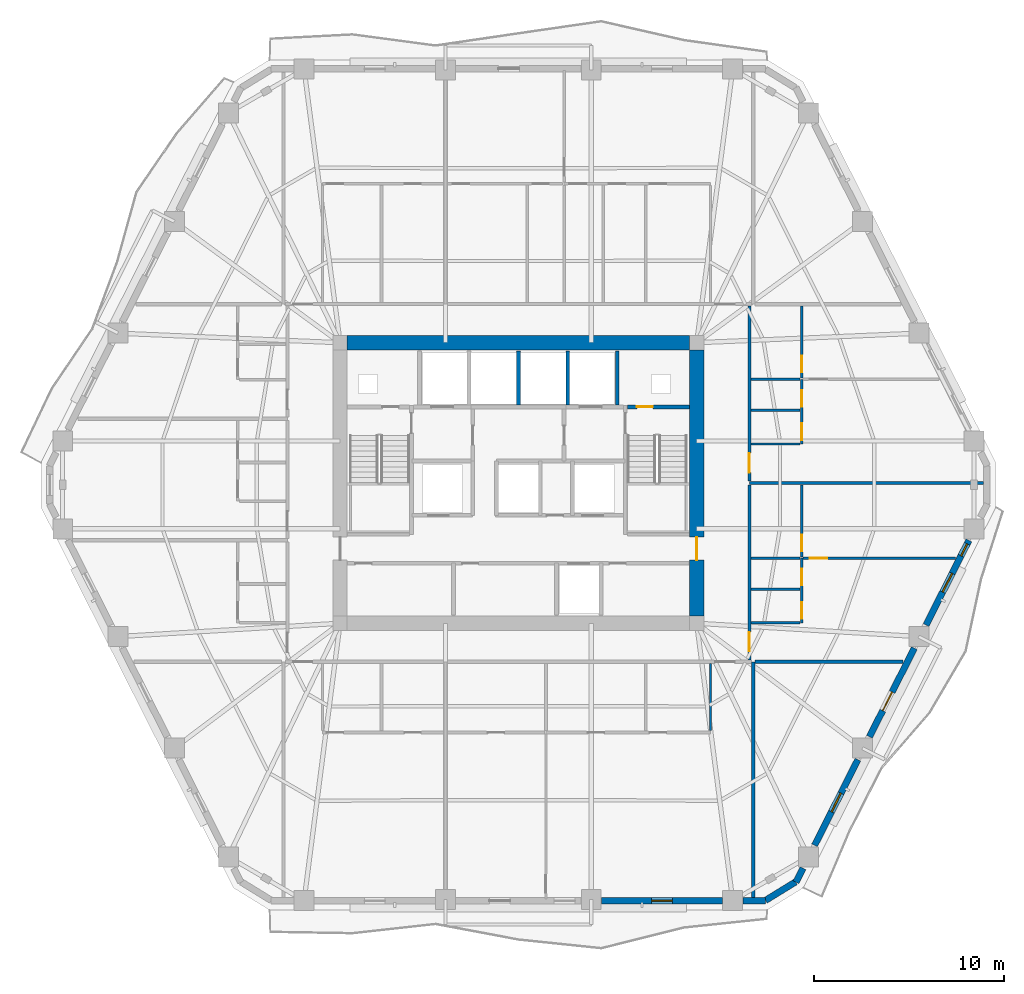
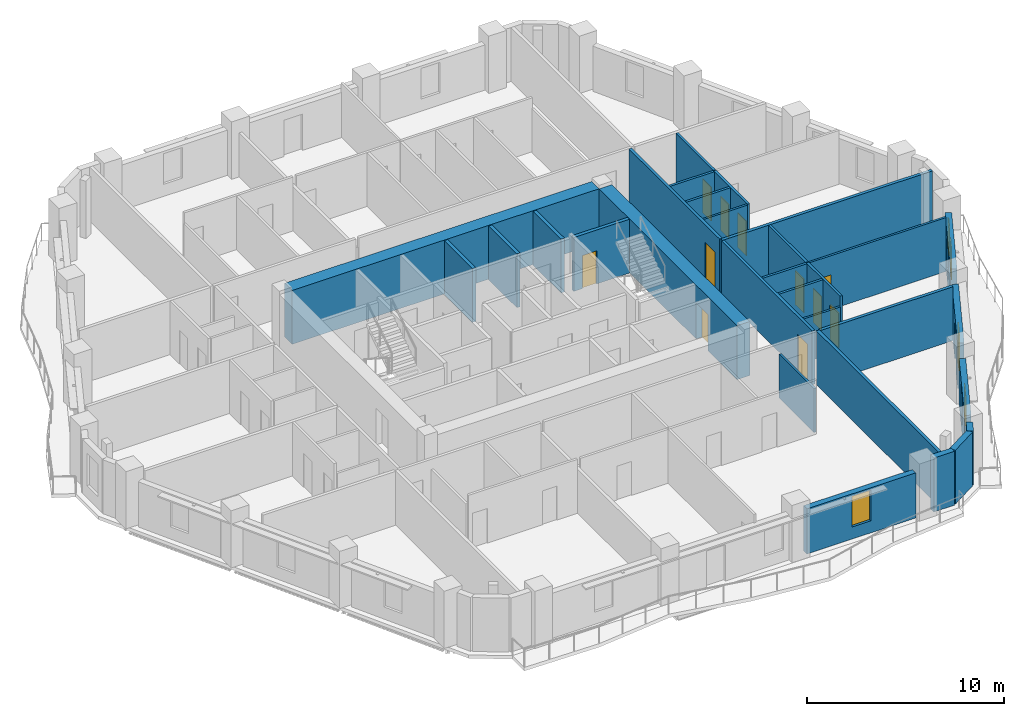
# One storey, part 6 of 12: 30 walls, 12 doors, 4 windows, 16 openings.
"""IFC4 building model written with IfcOpenShell, lengths in metres."""

from ifc_helpers import new_model, si_unit, direction, frame, frame_2d, origin, place, context, subcontext, project, spatial, rectangle, extrude, material, layer, layer_set, type_object, element, fill, save


model = new_model("IFC4")

# Units and contexts
model_context = context("Model", 3, precision=1e-05, world=origin(), true_north=direction((0.0, 1.0)))
body_context = subcontext(model_context, "Body", "Model", "MODEL_VIEW")
ifc_project = project(units=[si_unit("LENGTHUNIT", "METRE"), si_unit("AREAUNIT", "SQUARE_METRE"), si_unit("VOLUMEUNIT", "CUBIC_METRE"), si_unit("PLANEANGLEUNIT", "RADIAN"), si_unit("MASSUNIT", "GRAM", prefix="KILO")], contexts=[model_context])

# Site, building, storey
site_placement = place(None, origin())
site = spatial("IfcSite", under=ifc_project, at=site_placement, CompositionType="ELEMENT")
building_placement = place(site_placement, origin())
building = spatial("IfcBuilding", under=site, at=building_placement, Name="Cinnabar Lancet Tower", CompositionType="ELEMENT")
storey_placement = place(building_placement, frame((0.0, 0.0, 137.449951171875)))
storey = spatial("IfcBuildingStorey", under=building, at=storey_placement, Name="L36", CompositionType="ELEMENT", Elevation=137.449951171875)

# Wall, opening, door
ifc_material_1 = material(Name="Acoustic twin-stud gypsum partition", Category="gypsum")
ifc_layer_1 = layer(ifc_material_1, 0.159912109375)
ifc_layer_set_1 = layer_set([ifc_layer_1], Name="Acoustic twin-stud gypsum partition")
wall_type_1 = type_object("IfcWallType", Name="ARC-WL-CORR-160", PredefinedType="PARTITIONING", material=ifc_layer_set_1)
wall_1_placement = place(storey_placement, frame((44.550048828125, 16.594970703125, 0.0), z_axis=(0.0, 0.0, 1.0), x_axis=(0.0, 1.0, 0.0)))
wall_1 = element("IfcWall", 1, at=wall_1_placement, inside=storey, type_object=wall_type_1, Name="UW-L36-E01-COR", PredefinedType="PARTITIONING", context=body_context, shape_type="SweptSolid", body=[
    extrude(rectangle(XDim=9.2099609375, YDim=0.159912109375, at=frame_2d((4.60498046875, 0.0))), origin(), (0.0, 0.0, 1.0), 3.340087890625),
])
opening_1_placement = place(wall_1_placement, frame((0.449951171875, 0.0, 0.0)))
opening_1 = element("IfcOpeningElement", 2, at=opening_1_placement, cuts=wall_1, Name="Opening UD-01", PredefinedType="OPENING", context=body_context, shape_type="SweptSolid", body=[
    extrude(rectangle(XDim=1.02001953125, YDim=2.25, at=frame_2d((0.510009765625, 1.125))), frame((0.0, 0.08984375, 0.0), z_axis=(0.0, -1.0, 0.0), x_axis=(1.0, 0.0, 0.0)), (0.0, 0.0, 1.0), 0.179931640625),
])
ifc_material_2 = material(Name="Solid timber fire-rated apartment entrance door", Category="wood")
door_type_1 = type_object("IfcDoorType", Name="ARC-DR-UNIT", OperationType="NOTDEFINED", PredefinedType="DOOR", material=ifc_material_2)
door_1_placement = place(opening_1_placement, origin())
door_1 = element("IfcDoor", 3, at=door_1_placement, inside=storey, type_object=door_type_1, Name="DR-L36-E01-ENT", OperationType="SINGLE_SWING_RIGHT", OverallHeight=2.25, OverallWidth=1.02001953125, PredefinedType="DOOR", context=body_context, shape_type="SweptSolid", body=[
    extrude(rectangle(XDim=1.02001953125, YDim=2.25, at=frame_2d((0.510009765625, 1.125))), frame((0.0, 0.02490234375, 0.0), z_axis=(0.0, -1.0, 0.0), x_axis=(1.0, 0.0, 0.0)), (0.0, 0.0, 1.0), 0.050048828125),
])
fill(opening_1, door_1)

wall_2_placement = place(storey_placement, frame((44.550048828125, 25.9951171875, 0.0), z_axis=(0.0, 0.0, 1.0), x_axis=(0.0, 1.0, 0.0)))
wall_2 = element("IfcWall", 4, at=wall_2_placement, inside=storey, type_object=wall_type_1, Name="UW-L36-E02-COR", PredefinedType="PARTITIONING", context=body_context, shape_type="SweptSolid", body=[
    extrude(rectangle(XDim=9.2099609375, YDim=0.159912109375, at=frame_2d((4.60498046875, 0.0))), origin(), (0.0, 0.0, 1.0), 3.340087890625),
])
opening_2_placement = place(wall_2_placement, frame((0.449951171875, 0.0, 0.0)))
opening_2 = element("IfcOpeningElement", 5, at=opening_2_placement, cuts=wall_2, Name="Opening UD-01", PredefinedType="OPENING", context=body_context, shape_type="SweptSolid", body=[
    extrude(rectangle(XDim=1.02001953125, YDim=2.25, at=frame_2d((0.510009765625, 1.125))), frame((0.0, 0.08984375, 0.0), z_axis=(0.0, -1.0, 0.0), x_axis=(1.0, 0.0, 0.0)), (0.0, 0.0, 1.0), 0.179931640625),
])
door_2_placement = place(opening_2_placement, origin())
door_2 = element("IfcDoor", 6, at=door_2_placement, inside=storey, type_object=door_type_1, Name="DR-L36-E02-ENT", OperationType="SINGLE_SWING_LEFT", OverallHeight=2.25, OverallWidth=1.02001953125, PredefinedType="DOOR", context=body_context, shape_type="SweptSolid", body=[
    extrude(rectangle(XDim=1.02001953125, YDim=2.25, at=frame_2d((0.510009765625, 1.125))), frame((0.0, 0.02490234375, 0.0), z_axis=(0.0, -1.0, 0.0), x_axis=(1.0, 0.0, 0.0)), (0.0, 0.0, 1.0), 0.050048828125),
])
fill(opening_2, door_2)

# Walls
ifc_material_3 = material(Name="Fire-rated twin-frame acoustic drywall", Category="gypsum")
ifc_layer_2 = layer(ifc_material_3, 0.179931640625)
ifc_layer_set_2 = layer_set([ifc_layer_2], Name="Fire-rated twin-frame acoustic drywall")
wall_type_2 = type_object("IfcWallType", Name="ARC-WL-PARTY-180", PredefinedType="PARTITIONING", material=ifc_layer_set_2)
wall_3_placement = place(storey_placement, frame((44.75, 4.10498046875, 0.0), z_axis=(0.0, 0.0, 1.0), x_axis=(0.0, 1.0, 0.0)))
element("IfcWall", 7, at=wall_3_placement, inside=storey, type_object=wall_type_2, Name="PW-L36-SPTY-448", PredefinedType="PARTITIONING", context=body_context, shape_type="SweptSolid", body=[
    extrude(rectangle(XDim=12.39501953125, YDim=0.179931640625, at=frame_2d((6.197509765625, 0.0))), origin(), (0.0, 0.0, 1.0), 3.340087890625),
])
wall_4_placement = place(storey_placement, frame((44.844970703125, 16.5, 0.0), z_axis=(0.0, 0.0, 1.0), x_axis=(1.0, 0.0, 0.0)))
element("IfcWall", 8, at=wall_4_placement, inside=storey, type_object=wall_type_2, Name="PW-L36-ESB", PredefinedType="PARTITIONING", context=body_context, shape_type="SweptSolid", body=[
    extrude(rectangle(XDim=7.77001953125, YDim=0.179931640625, at=frame_2d((3.885009765625, 0.0))), origin(), (0.0, 0.0, 1.0), 3.340087890625),
])
wall_5_placement = place(storey_placement, frame((44.550048828125, 25.89990234375, 0.0), z_axis=(0.0, 0.0, 1.0), x_axis=(1.0, 0.0, 0.0)))
element("IfcWall", 9, at=wall_5_placement, inside=storey, type_object=wall_type_2, Name="PW-L36-EPTY-1", PredefinedType="PARTITIONING", context=body_context, shape_type="SweptSolid", body=[
    extrude(rectangle(XDim=12.307861328125, YDim=0.179931640625, at=frame_2d((6.15380859375, 0.0))), origin(), (0.0, 0.0, 1.0), 3.340087890625),
])

# Wall, opening, door
ifc_material_4 = material(Name="Autoclaved aerated concrete blockwork", Category="masonry")
ifc_layer_3 = layer(ifc_material_4, 0.199951171875)
ifc_layer_set_3 = layer_set([ifc_layer_3], Name="Autoclaved aerated concrete blockwork")
wall_type_3 = type_object("IfcWallType", Name="ARC-WL-SHAFT-200", PredefinedType="PLUMBINGWALL", material=ifc_layer_set_3)
wall_6_placement = place(storey_placement, frame((38.125, 29.89990234375, 0.0), z_axis=(0.0, 0.0, 1.0), x_axis=(1.0, 0.0, 0.0)))
wall_6 = element("IfcWall", 10, at=wall_6_placement, inside=storey, type_object=wall_type_3, Name="CW-NSH-E-L36", PredefinedType="PLUMBINGWALL", context=body_context, shape_type="SweptSolid", body=[
    extrude(rectangle(XDim=3.27001953125, YDim=0.199951171875, at=frame_2d((1.635009765625, 0.0))), origin(), (0.0, 0.0, 1.0), 3.340087890625),
])
opening_3_placement = place(wall_6_placement, frame((0.5, 0.0, 0.0)))
opening_3 = element("IfcOpeningElement", 11, at=opening_3_placement, cuts=wall_6, Name="Opening PD-02", PredefinedType="OPENING", context=body_context, shape_type="SweptSolid", body=[
    extrude(rectangle(XDim=0.85009765625, YDim=2.050048828125, at=frame_2d((0.425048828125, 1.02490234375))), frame((0.0, 0.10986328125, 0.0), z_axis=(0.0, -1.0, 0.0), x_axis=(1.0, 0.0, 0.0)), (0.0, 0.0, 1.0), 0.219970703125),
])
ifc_material_5 = material(Name="Fire-rated steel riser access door", Category="steel")
door_type_2 = type_object("IfcDoorType", Name="ARC-DR-RISER", OperationType="NOTDEFINED", PredefinedType="DOOR", material=ifc_material_5)
door_3_placement = place(opening_3_placement, origin())
door_3 = element("IfcDoor", 12, at=door_3_placement, inside=storey, type_object=door_type_2, Name="L36 East Riser Access Door", OperationType="SINGLE_SWING_RIGHT", OverallHeight=2.050048828125, OverallWidth=0.85009765625, PredefinedType="DOOR", context=body_context, shape_type="SweptSolid", body=[
    extrude(rectangle(XDim=0.85009765625, YDim=2.050048828125, at=frame_2d((0.425048828125, 1.02490234375))), frame((0.0, 0.02490234375, 0.0), z_axis=(0.0, -1.0, 0.0), x_axis=(1.0, 0.0, 0.0)), (0.0, 0.0, 1.0), 0.050048828125),
])
fill(opening_3, door_3)

# Walls
for number, where, z_axis, x_axis, name in (
    (13, (32.39990234375, 30.0, 0.0), (0.0, 0.0, 1.0), (0.0, 1.0, 0.0), "CW-NSH-D3-L36"),
    (14, (35.0, 30.0, 0.0), (0.0, 0.0, 1.0), (0.0, 1.0, 0.0), "CW-NSH-D4-L36"),
    (15, (37.60009765625, 30.0, 0.0), (0.0, 0.0, 1.0), (0.0, 1.0, 0.0), "CW-NSH-D5-L36"),
):
    element("IfcWall", number, at=place(storey_placement, frame(where, z_axis=z_axis, x_axis=x_axis)), inside=storey, type_object=wall_type_3, Name=name, PredefinedType="PLUMBINGWALL", context=body_context, shape_type="SweptSolid", body=[
        extrude(rectangle(XDim=2.85009765625, YDim=0.199951171875, at=frame_2d((1.425048828125, 0.0))), origin(), (0.0, 0.0, 1.0), 3.340087890625),
    ])
ifc_material_6 = material(Name="Gypsum plasterboard stud partition", Category="gypsum")
ifc_layer_4 = layer(ifc_material_6, 0.125)
ifc_layer_set_4 = layer_set([ifc_layer_4], Name="Gypsum plasterboard stud partition")
wall_type_4 = type_object("IfcWallType", Name="ARC-WL-UNIT-125", PredefinedType="PARTITIONING", material=ifc_layer_set_4)
wall_7_placement = place(storey_placement, frame((42.5, 12.886962890625, 0.0), z_axis=(0.0, 0.0, 1.0), x_axis=(0.0, 1.0, 0.0)))
element("IfcWall", 16, at=wall_7_placement, inside=storey, type_object=wall_type_4, Name="UW-L36-S02-FOYW", PredefinedType="PARTITIONING", context=body_context, shape_type="SweptSolid", body=[
    extrude(rectangle(XDim=3.528076171875, YDim=0.125, at=frame_2d((1.76416015625, 0.0))), origin(), (0.0, 0.0, 1.0), 2.72216796875),
])
wall_8_placement = place(storey_placement, frame((44.635009765625, 18.550048828125, 0.0), z_axis=(0.0, 0.0, 1.0), x_axis=(1.0, 0.0, 0.0)))
element("IfcWall", 17, at=wall_8_placement, inside=storey, type_object=wall_type_4, Name="UW-L36-E01-FOYN", PredefinedType="PARTITIONING", context=body_context, shape_type="SweptSolid", body=[
    extrude(rectangle(XDim=2.580078125, YDim=0.125, at=frame_2d((1.2900390625, 0.0))), origin(), (0.0, 0.0, 1.0), 2.72216796875),
])

# Wall, opening, door
wall_9_placement = place(storey_placement, frame((47.375, 21.949951171875, 0.0), z_axis=(0.0, 0.0, 1.0), x_axis=(1.0, 0.0, 0.0)))
wall_9 = element("IfcWall", 18, at=wall_9_placement, inside=storey, type_object=wall_type_4, Name="UW-L36-E01-MBN", PredefinedType="PARTITIONING", context=body_context, shape_type="SweptSolid", body=[
    extrude(rectangle(XDim=8.012939453125, YDim=0.125, at=frame_2d((4.00634765625, 0.0))), origin(), (0.0, 0.0, 1.0), 3.340087890625),
])
opening_4_placement = place(wall_9_placement, frame((0.35009765625, 0.0, 0.0)))
opening_4 = element("IfcOpeningElement", 19, at=opening_4_placement, cuts=wall_9, Name="Opening RD-01", PredefinedType="OPENING", context=body_context, shape_type="SweptSolid", body=[
    extrude(rectangle(XDim=0.919921875, YDim=2.14990234375, at=frame_2d((0.4599609375, 1.074951171875))), frame((0.0, 0.072509765625, 0.0), z_axis=(0.0, -1.0, 0.0), x_axis=(1.0, 0.0, 0.0)), (0.0, 0.0, 1.0), 0.14501953125),
])
ifc_material_7 = material(Name="Engineered timber bedroom door", Category="wood")
door_type_3 = type_object("IfcDoorType", Name="ARC-DR-ROOM", OperationType="NOTDEFINED", PredefinedType="DOOR", material=ifc_material_7)
door_4_placement = place(opening_4_placement, origin())
door_4 = element("IfcDoor", 20, at=door_4_placement, inside=storey, type_object=door_type_3, Name="DR-L36-E01-MBD", OperationType="SINGLE_SWING_RIGHT", OverallHeight=2.14990234375, OverallWidth=0.919921875, PredefinedType="DOOR", context=body_context, shape_type="SweptSolid", body=[
    extrude(rectangle(XDim=0.919921875, YDim=2.14990234375, at=frame_2d((0.4599609375, 1.074951171875))), frame((0.0, 0.02490234375, 0.0), z_axis=(0.0, -1.0, 0.0), x_axis=(1.0, 0.0, 0.0)), (0.0, 0.0, 1.0), 0.050048828125),
])
fill(opening_4, door_4)

# Wall
wall_10_placement = place(storey_placement, frame((44.635009765625, 27.949951171875, 0.0), z_axis=(0.0, 0.0, 1.0), x_axis=(1.0, 0.0, 0.0)))
element("IfcWall", 21, at=wall_10_placement, inside=storey, type_object=wall_type_4, Name="UW-L36-E02-FOYN", PredefinedType="PARTITIONING", context=body_context, shape_type="SweptSolid", body=[
    extrude(rectangle(XDim=2.580078125, YDim=0.125, at=frame_2d((1.2900390625, 0.0))), origin(), (0.0, 0.0, 1.0), 3.340087890625),
])

# Wall, openings, doors
ifc_material_8 = material(Name="Moisture-resistant cement-board plumbing wall", Category="masonry")
ifc_layer_5 = layer(ifc_material_8, 0.139892578125)
ifc_layer_set_5 = layer_set([ifc_layer_5], Name="Moisture-resistant cement-board plumbing wall")
wall_type_5 = type_object("IfcWallType", Name="ARC-WL-WET-140", PredefinedType="PLUMBINGWALL", material=ifc_layer_set_5)
wall_11_placement = place(storey_placement, frame((47.300048828125, 18.550048828125, 0.0), z_axis=(0.0, 0.0, 1.0), x_axis=(0.0, 1.0, 0.0)))
wall_11 = element("IfcWall", 22, at=wall_11_placement, inside=storey, type_object=wall_type_5, Name="UW-L36-E01-SPL", PredefinedType="PLUMBINGWALL", context=body_context, shape_type="SweptSolid", body=[
    extrude(rectangle(XDim=3.39990234375, YDim=0.139892578125, at=frame_2d((1.699951171875, 0.0))), origin(), (0.0, 0.0, 1.0), 3.340087890625),
])
opening_5_placement = place(wall_11_placement, frame((0.199951171875, 0.0, 0.0)))
opening_5 = element("IfcOpeningElement", 23, at=opening_5_placement, cuts=wall_11, Name="Opening RD-02", PredefinedType="OPENING", context=body_context, shape_type="SweptSolid", body=[
    extrude(rectangle(XDim=0.8798828125, YDim=2.14990234375, at=frame_2d((0.43994140625, 1.074951171875))), frame((0.0, 0.079833984375, 0.0), z_axis=(0.0, -1.0, 0.0), x_axis=(1.0, 0.0, 0.0)), (0.0, 0.0, 1.0), 0.159912109375),
])
opening_6_placement = place(wall_11_placement, frame((1.968017578125, 0.0, 0.0)))
opening_6 = element("IfcOpeningElement", 24, at=opening_6_placement, cuts=wall_11, Name="Opening BD-01", PredefinedType="OPENING", context=body_context, shape_type="SweptSolid", body=[
    extrude(rectangle(XDim=0.860107421875, YDim=2.10009765625, at=frame_2d((0.43017578125, 1.050048828125))), frame((0.0, 0.079833984375, 0.0), z_axis=(0.0, -1.0, 0.0), x_axis=(1.0, 0.0, 0.0)), (0.0, 0.0, 1.0), 0.159912109375),
])
ifc_material_9 = material(Name="Moisture-resistant timber bathroom door", Category="wood")
door_type_4 = type_object("IfcDoorType", Name="ARC-DR-BATH", OperationType="NOTDEFINED", PredefinedType="DOOR", material=ifc_material_9)
door_5_placement = place(opening_6_placement, origin())
door_5 = element("IfcDoor", 25, at=door_5_placement, inside=storey, type_object=door_type_4, Name="DR-L36-E01-BTH", OperationType="SINGLE_SWING_RIGHT", OverallHeight=2.10009765625, OverallWidth=0.860107421875, PredefinedType="DOOR", context=body_context, shape_type="SweptSolid", body=[
    extrude(rectangle(XDim=0.860107421875, YDim=2.10009765625, at=frame_2d((0.43017578125, 1.050048828125))), frame((0.0, 0.02490234375, 0.0), z_axis=(0.0, -1.0, 0.0), x_axis=(1.0, 0.0, 0.0)), (0.0, 0.0, 1.0), 0.050048828125),
])
fill(opening_6, door_5)
ifc_material_10 = material(Name="Engineered timber study door", Category="wood")
door_type_5 = type_object("IfcDoorType", Name="ARC-DR-STUDY", OperationType="NOTDEFINED", PredefinedType="DOOR", material=ifc_material_10)
door_6_placement = place(opening_5_placement, origin())
door_6 = element("IfcDoor", 26, at=door_6_placement, inside=storey, type_object=door_type_5, Name="DR-L36-E01-KIT", OperationType="SINGLE_SWING_LEFT", OverallHeight=2.14990234375, OverallWidth=0.8798828125, PredefinedType="DOOR", context=body_context, shape_type="SweptSolid", body=[
    extrude(rectangle(XDim=0.8798828125, YDim=2.14990234375, at=frame_2d((0.43994140625, 1.074951171875))), frame((0.0, 0.02490234375, 0.0), z_axis=(0.0, -1.0, 0.0), x_axis=(1.0, 0.0, 0.0)), (0.0, 0.0, 1.0), 0.050048828125),
])
fill(opening_5, door_6)

# Wall, opening, door
wall_12_placement = place(storey_placement, frame((47.300048828125, 22.02001953125, 0.0), z_axis=(0.0, 0.0, 1.0), x_axis=(0.0, 1.0, 0.0)))
wall_12 = element("IfcWall", 27, at=wall_12_placement, inside=storey, type_object=wall_type_5, Name="UW-L36-E01-SPM", PredefinedType="PLUMBINGWALL", context=body_context, shape_type="SweptSolid", body=[
    extrude(rectangle(XDim=3.784912109375, YDim=0.139892578125, at=frame_2d((1.892578125, 0.0))), origin(), (0.0, 0.0, 1.0), 3.340087890625),
])
opening_7_placement = place(wall_12_placement, frame((0.300048828125, 0.0, 0.0)))
opening_7 = element("IfcOpeningElement", 28, at=opening_7_placement, cuts=wall_12, Name="Opening BD-01", PredefinedType="OPENING", context=body_context, shape_type="SweptSolid", body=[
    extrude(rectangle(XDim=0.860107421875, YDim=2.10009765625, at=frame_2d((0.43017578125, 1.050048828125))), frame((0.0, 0.079833984375, 0.0), z_axis=(0.0, -1.0, 0.0), x_axis=(1.0, 0.0, 0.0)), (0.0, 0.0, 1.0), 0.159912109375),
])
door_7_placement = place(opening_7_placement, origin())
door_7 = element("IfcDoor", 29, at=door_7_placement, inside=storey, type_object=door_type_4, Name="DR-L36-E01-ENS", OperationType="SINGLE_SWING_RIGHT", OverallHeight=2.10009765625, OverallWidth=0.860107421875, PredefinedType="DOOR", context=body_context, shape_type="SweptSolid", body=[
    extrude(rectangle(XDim=0.860107421875, YDim=2.10009765625, at=frame_2d((0.43017578125, 1.050048828125))), frame((0.0, 0.02490234375, 0.0), z_axis=(0.0, -1.0, 0.0), x_axis=(1.0, 0.0, 0.0)), (0.0, 0.0, 1.0), 0.050048828125),
])
fill(opening_7, door_7)

# Walls
for number, where, z_axis, x_axis, name in (
    (30, (44.635009765625, 21.949951171875, 0.0), (0.0, 0.0, 1.0), (1.0, 0.0, 0.0), "UW-L36-E01-ENSN"),
    (31, (44.635009765625, 20.318115234375, 0.0), (0.0, 0.0, 1.0), (1.0, 0.0, 0.0), "UW-L36-E01-KDV"),
):
    element("IfcWall", number, at=place(storey_placement, frame(where, z_axis=z_axis, x_axis=x_axis)), inside=storey, type_object=wall_type_5, Name=name, PredefinedType="PLUMBINGWALL", context=body_context, shape_type="SweptSolid", body=[
        extrude(rectangle(XDim=2.580078125, YDim=0.139892578125, at=frame_2d((1.2900390625, 0.0))), origin(), (0.0, 0.0, 1.0), 3.340087890625),
    ])

# Wall, openings, doors
wall_13_placement = place(storey_placement, frame((47.300048828125, 27.949951171875, 0.0), z_axis=(0.0, 0.0, 1.0), x_axis=(0.0, 1.0, 0.0)))
wall_13 = element("IfcWall", 32, at=wall_13_placement, inside=storey, type_object=wall_type_5, Name="UW-L36-E02-SPL", PredefinedType="PLUMBINGWALL", context=body_context, shape_type="SweptSolid", body=[
    extrude(rectangle(XDim=3.402099609375, YDim=0.139892578125, at=frame_2d((1.701171875, 0.0))), origin(), (0.0, 0.0, 1.0), 3.340087890625),
])
opening_8_placement = place(wall_13_placement, frame((0.199951171875, 0.0, 0.0)))
opening_8 = element("IfcOpeningElement", 33, at=opening_8_placement, cuts=wall_13, Name="Opening RD-02", PredefinedType="OPENING", context=body_context, shape_type="SweptSolid", body=[
    extrude(rectangle(XDim=0.8798828125, YDim=2.14990234375, at=frame_2d((0.43994140625, 1.074951171875))), frame((0.0, 0.079833984375, 0.0), z_axis=(0.0, -1.0, 0.0), x_axis=(1.0, 0.0, 0.0)), (0.0, 0.0, 1.0), 0.159912109375),
])
opening_9_placement = place(wall_13_placement, frame((1.968994140625, 0.0, 0.0)))
opening_9 = element("IfcOpeningElement", 34, at=opening_9_placement, cuts=wall_13, Name="Opening BD-01", PredefinedType="OPENING", context=body_context, shape_type="SweptSolid", body=[
    extrude(rectangle(XDim=0.860107421875, YDim=2.10009765625, at=frame_2d((0.43017578125, 1.050048828125))), frame((0.0, 0.079833984375, 0.0), z_axis=(0.0, -1.0, 0.0), x_axis=(1.0, 0.0, 0.0)), (0.0, 0.0, 1.0), 0.159912109375),
])
door_8_placement = place(opening_9_placement, origin())
door_8 = element("IfcDoor", 35, at=door_8_placement, inside=storey, type_object=door_type_4, Name="DR-L36-E02-BTH", OperationType="SINGLE_SWING_LEFT", OverallHeight=2.10009765625, OverallWidth=0.860107421875, PredefinedType="DOOR", context=body_context, shape_type="SweptSolid", body=[
    extrude(rectangle(XDim=0.860107421875, YDim=2.10009765625, at=frame_2d((0.43017578125, 1.050048828125))), frame((0.0, 0.02490234375, 0.0), z_axis=(0.0, -1.0, 0.0), x_axis=(1.0, 0.0, 0.0)), (0.0, 0.0, 1.0), 0.050048828125),
])
fill(opening_9, door_8)
door_9_placement = place(opening_8_placement, origin())
door_9 = element("IfcDoor", 36, at=door_9_placement, inside=storey, type_object=door_type_5, Name="DR-L36-E02-KIT", OperationType="SINGLE_SWING_RIGHT", OverallHeight=2.14990234375, OverallWidth=0.8798828125, PredefinedType="DOOR", context=body_context, shape_type="SweptSolid", body=[
    extrude(rectangle(XDim=0.8798828125, YDim=2.14990234375, at=frame_2d((0.43994140625, 1.074951171875))), frame((0.0, 0.02490234375, 0.0), z_axis=(0.0, -1.0, 0.0), x_axis=(1.0, 0.0, 0.0)), (0.0, 0.0, 1.0), 0.050048828125),
])
fill(opening_8, door_9)

# Wall, opening, door
wall_14_placement = place(storey_placement, frame((47.300048828125, 31.422119140625, 0.0), z_axis=(0.0, 0.0, 1.0), x_axis=(0.0, 1.0, 0.0)))
wall_14 = element("IfcWall", 37, at=wall_14_placement, inside=storey, type_object=wall_type_5, Name="UW-L36-E02-SPM", PredefinedType="PLUMBINGWALL", context=body_context, shape_type="SweptSolid", body=[
    extrude(rectangle(XDim=3.782958984375, YDim=0.139892578125, at=frame_2d((1.8916015625, 0.0))), origin(), (0.0, 0.0, 1.0), 3.340087890625),
])
opening_10_placement = place(wall_14_placement, frame((0.300048828125, 0.0, 0.0)))
opening_10 = element("IfcOpeningElement", 38, at=opening_10_placement, cuts=wall_14, Name="Opening BD-01", PredefinedType="OPENING", context=body_context, shape_type="SweptSolid", body=[
    extrude(rectangle(XDim=0.860107421875, YDim=2.10009765625, at=frame_2d((0.43017578125, 1.050048828125))), frame((0.0, 0.079833984375, 0.0), z_axis=(0.0, -1.0, 0.0), x_axis=(1.0, 0.0, 0.0)), (0.0, 0.0, 1.0), 0.159912109375),
])
door_10_placement = place(opening_10_placement, origin())
door_10 = element("IfcDoor", 39, at=door_10_placement, inside=storey, type_object=door_type_4, Name="DR-L36-E02-ENS", OperationType="SINGLE_SWING_LEFT", OverallHeight=2.10009765625, OverallWidth=0.860107421875, PredefinedType="DOOR", context=body_context, shape_type="SweptSolid", body=[
    extrude(rectangle(XDim=0.860107421875, YDim=2.10009765625, at=frame_2d((0.43017578125, 1.050048828125))), frame((0.0, 0.02490234375, 0.0), z_axis=(0.0, -1.0, 0.0), x_axis=(1.0, 0.0, 0.0)), (0.0, 0.0, 1.0), 0.050048828125),
])
fill(opening_10, door_10)

# Walls
for number, where, z_axis, x_axis, name in (
    (40, (44.635009765625, 31.35205078125, 0.0), (0.0, 0.0, 1.0), (1.0, 0.0, 0.0), "UW-L36-E02-ENSN"),
    (41, (44.635009765625, 29.718994140625, 0.0), (0.0, 0.0, 1.0), (1.0, 0.0, 0.0), "UW-L36-E02-KDV"),
):
    element("IfcWall", number, at=place(storey_placement, frame(where, z_axis=z_axis, x_axis=x_axis)), inside=storey, type_object=wall_type_5, Name=name, PredefinedType="PLUMBINGWALL", context=body_context, shape_type="SweptSolid", body=[
        extrude(rectangle(XDim=2.580078125, YDim=0.139892578125, at=frame_2d((1.2900390625, 0.0))), origin(), (0.0, 0.0, 1.0), 3.340087890625),
    ])
ifc_material_11 = material(Name="Cinnabar red clay brick", Category="masonry")
ifc_layer_6 = layer(ifc_material_11, 0.340087890625)
ifc_layer_set_6 = layer_set([ifc_layer_6], Name="Cinnabar red clay brick")
wall_type_6 = type_object("IfcWallType", Name="ENV-WL-BRK-RED-340", PredefinedType="STANDARD", material=ifc_layer_set_6)
wall_15_placement = place(storey_placement, frame((45.39697265625, 3.955078125, 0.0), z_axis=(0.0, 0.0, 1.0), x_axis=(0.851798915137, 0.523868884523, 0.0)))
element("IfcWall", 42, at=wall_15_placement, inside=storey, type_object=wall_type_6, Name="L36 Chamfered Corner Brick Pier 2.1", PredefinedType="STANDARD", context=body_context, shape_type="SweptSolid", body=[
    extrude(rectangle(XDim=1.847900390625, YDim=0.340087890625, at=frame_2d((0.923828125, 0.0))), origin(), (0.0, 0.0, 1.0), 3.340087890625),
])

# Wall, opening, window
wall_16_placement = place(storey_placement, frame((36.760986328125, 3.929931640625, 0.0), z_axis=(0.0, 0.0, 1.0), x_axis=(1.0, 0.0, 0.0)))
wall_16 = element("IfcWall", 43, at=wall_16_placement, inside=storey, type_object=wall_type_6, Name="L36 Face 1 Masonry Bay Wall 4", PredefinedType="STANDARD", context=body_context, shape_type="SweptSolid", body=[
    extrude(rectangle(XDim=6.37890625, YDim=0.340087890625, at=frame_2d((3.189453125, 0.0))), origin(), (0.0, 0.0, 1.0), 2.797119140625),
])
opening_11_placement = place(wall_16_placement, frame((2.638916015625, 0.0, 0.75)))
opening_11 = element("IfcOpeningElement", 44, at=opening_11_placement, cuts=wall_16, Name="Opening WN-04", PredefinedType="OPENING", context=body_context, shape_type="SweptSolid", body=[
    extrude(rectangle(XDim=1.10009765625, YDim=1.89697265625, at=frame_2d((0.550048828125, 0.948486328125))), frame((0.0, 0.179931640625, 0.0), z_axis=(0.0, -1.0, 0.0), x_axis=(1.0, 0.0, 0.0)), (0.0, 0.0, 1.0), 0.360107421875),
])
ifc_material_12 = material(Name="Thermally broken bronze-anodized aluminium tall lancet window", Category="aluminium")
window_type = type_object("IfcWindowType", Name="ENV-WN-LANCET-1100", PartitioningType="SINGLE_PANEL", PredefinedType="WINDOW", material=ifc_material_12)
window_1_placement = place(opening_11_placement, origin())
window_1 = element("IfcWindow", 45, at=window_1_placement, inside=storey, type_object=window_type, Name="L36 Face 1 Gothic Lancet Window 4", OverallHeight=1.89697265625, OverallWidth=1.10009765625, PartitioningType="SINGLE_PANEL", PredefinedType="WINDOW", context=body_context, shape_type="SweptSolid", body=[
    extrude(rectangle(XDim=1.10009765625, YDim=1.89697265625, at=frame_2d((0.550048828125, 0.948486328125))), frame((0.0, 0.030029296875, 0.0), z_axis=(0.0, -1.0, 0.0), x_axis=(1.0, 0.0, 0.0)), (0.0, 0.0, 1.0), 0.06005859375),
])
fill(opening_11, window_1)

# Walls
wall_17_placement = place(storey_placement, frame((44.197998046875, 3.929931640625, 0.0), z_axis=(0.0, 0.0, 1.0), x_axis=(1.0, 0.0, 0.0)))
element("IfcWall", 46, at=wall_17_placement, inside=storey, type_object=wall_type_6, Name="L36 Face 1 Masonry Bay Wall 5", PredefinedType="STANDARD", context=body_context, shape_type="SweptSolid", body=[
    extrude(rectangle(XDim=1.2041015625, YDim=0.340087890625, at=frame_2d((0.60205078125, 0.0))), origin(), (0.0, 0.0, 1.0), 3.340087890625),
])
wall_18_placement = place(storey_placement, frame((46.990966796875, 4.906982421875, 0.0), z_axis=(0.0, 0.0, 1.0), x_axis=(0.45172514337, 0.892157158155, 0.0)))
element("IfcWall", 47, at=wall_18_placement, inside=storey, type_object=wall_type_6, Name="L36 Face 2 Masonry Bay Wall 1", PredefinedType="STANDARD", context=body_context, shape_type="SweptSolid", body=[
    extrude(rectangle(XDim=0.821533203125, YDim=0.340087890625, at=frame_2d((0.41064453125, 0.0))), origin(), (0.0, 0.0, 1.0), 3.340087890625),
])

# Wall, opening, window
wall_19_placement = place(storey_placement, frame((47.97509765625, 6.85205078125, 0.0), z_axis=(0.0, 0.0, 1.0), x_axis=(0.451548465867, 0.892246593142, 0.0)))
wall_19 = element("IfcWall", 48, at=wall_19_placement, inside=storey, type_object=wall_type_6, Name="L36 Face 2 Masonry Bay Wall 2", PredefinedType="STANDARD", context=body_context, shape_type="SweptSolid", body=[
    extrude(rectangle(XDim=5.040283203125, YDim=0.340087890625, at=frame_2d((2.52001953125, 0.0))), origin(), (0.0, 0.0, 1.0), 2.797119140625),
])
opening_12_placement = place(wall_19_placement, frame((1.969970703125, 0.0, 0.75)))
opening_12 = element("IfcOpeningElement", 49, at=opening_12_placement, cuts=wall_19, Name="Opening WN-04", PredefinedType="OPENING", context=body_context, shape_type="SweptSolid", body=[
    extrude(rectangle(XDim=1.10009765625, YDim=1.89697265625, at=frame_2d((0.550048828125, 0.948486328125))), frame((0.0, 0.179931640625, 0.0), z_axis=(0.0, -1.0, 0.0), x_axis=(1.0, 0.0, 0.0)), (0.0, 0.0, 1.0), 0.360107421875),
])
window_2_placement = place(opening_12_placement, origin())
window_2 = element("IfcWindow", 50, at=window_2_placement, inside=storey, type_object=window_type, Name="L36 Face 2 Gothic Lancet Window 2", OverallHeight=1.89697265625, OverallWidth=1.10009765625, PartitioningType="SINGLE_PANEL", PredefinedType="WINDOW", context=body_context, shape_type="SweptSolid", body=[
    extrude(rectangle(XDim=1.10009765625, YDim=1.89697265625, at=frame_2d((0.550048828125, 0.948486328125))), frame((0.0, 0.030029296875, 0.0), z_axis=(0.0, -1.0, 0.0), x_axis=(1.0, 0.0, 0.0)), (0.0, 0.0, 1.0), 0.06005859375),
])
fill(opening_12, window_2)

# Wall, opening, door
wall_20_placement = place(storey_placement, frame((50.863037109375, 12.56103515625, 0.0), z_axis=(0.0, 0.0, 1.0), x_axis=(0.451567731634, 0.892236842855, 0.0)))
wall_20 = element("IfcWall", 51, at=wall_20_placement, inside=storey, type_object=wall_type_6, Name="L36 Face 2 Masonry Bay Wall 3", PredefinedType="STANDARD", context=body_context, shape_type="SweptSolid", body=[
    extrude(rectangle(XDim=5.219482421875, YDim=0.340087890625, at=frame_2d((2.60986328125, 0.0))), origin(), (0.0, 0.0, 1.0), 2.797119140625),
])
opening_13_placement = place(wall_20_placement, frame((1.531982421875, 0.0, 0.0)))
opening_13 = element("IfcOpeningElement", 52, at=opening_13_placement, cuts=wall_20, Name="Opening TD-01", PredefinedType="OPENING", context=body_context, shape_type="SweptSolid", body=[
    extrude(rectangle(XDim=1.10009765625, YDim=2.25, at=frame_2d((0.550048828125, 1.125))), frame((0.0, 0.179931640625, 0.0), z_axis=(0.0, -1.0, 0.0), x_axis=(1.0, 0.0, 0.0)), (0.0, 0.0, 1.0), 0.360107421875),
])
ifc_material_13 = material(Name="Thermally broken low-E glazed balcony terrace door", Category="wood")
door_type_6 = type_object("IfcDoorType", Name="ARC-DR-BALC", OperationType="NOTDEFINED", PredefinedType="DOOR", material=ifc_material_13)
door_11_placement = place(opening_13_placement, origin())
door_11 = element("IfcDoor", 53, at=door_11_placement, inside=storey, type_object=door_type_6, Name="L36 Face 2 Glazed Terrace Door", OperationType="SINGLE_SWING_RIGHT", OverallHeight=2.25, OverallWidth=1.10009765625, PredefinedType="DOOR", context=body_context, shape_type="SweptSolid", body=[
    extrude(rectangle(XDim=1.10009765625, YDim=2.25, at=frame_2d((0.550048828125, 1.125))), frame((0.0, 0.02490234375, 0.0), z_axis=(0.0, -1.0, 0.0), x_axis=(1.0, 0.0, 0.0)), (0.0, 0.0, 1.0), 0.050048828125),
])
fill(opening_13, door_11)

# Wall, openings, windows
wall_21_placement = place(storey_placement, frame((53.83203125, 18.427978515625, 0.0), z_axis=(0.0, 0.0, 1.0), x_axis=(0.451431617681, 0.892305718102, 0.0)))
wall_21 = element("IfcWall", 54, at=wall_21_placement, inside=storey, type_object=wall_type_6, Name="L36 Face 2 Masonry Bay Wall 4", PredefinedType="STANDARD", context=body_context, shape_type="SweptSolid", body=[
    extrude(rectangle(XDim=4.994873046875, YDim=0.340087890625, at=frame_2d((2.49755859375, 0.0))), origin(), (0.0, 0.0, 1.0), 2.797119140625),
])
opening_14_placement = place(wall_21_placement, frame((1.947021484375, 0.0, 0.75)))
opening_14 = element("IfcOpeningElement", 55, at=opening_14_placement, cuts=wall_21, Name="Opening WN-04", PredefinedType="OPENING", context=body_context, shape_type="SweptSolid", body=[
    extrude(rectangle(XDim=1.10009765625, YDim=1.89697265625, at=frame_2d((0.550048828125, 0.948486328125))), frame((0.0, 0.179931640625, 0.0), z_axis=(0.0, -1.0, 0.0), x_axis=(1.0, 0.0, 0.0)), (0.0, 0.0, 1.0), 0.360107421875),
])
opening_15_placement = place(wall_21_placement, frame((4.0849609375, 0.0, 0.75)))
opening_15 = element("IfcOpeningElement", 56, at=opening_15_placement, cuts=wall_21, Name="Opening WN-04", PredefinedType="OPENING", context=body_context, shape_type="SweptSolid", body=[
    extrude(rectangle(XDim=0.699951171875, YDim=1.89697265625, at=frame_2d((0.35009765625, 0.948486328125))), frame((0.0, 0.179931640625, 0.0), z_axis=(0.0, -1.0, 0.0), x_axis=(1.0, 0.0, 0.0)), (0.0, 0.0, 1.0), 0.360107421875),
])
window_3_placement = place(opening_14_placement, origin())
window_3 = element("IfcWindow", 57, at=window_3_placement, inside=storey, type_object=window_type, Name="L36 Face 2 Gothic Lancet Window 4", OverallHeight=1.89697265625, OverallWidth=1.10009765625, PartitioningType="SINGLE_PANEL", PredefinedType="WINDOW", context=body_context, shape_type="SweptSolid", body=[
    extrude(rectangle(XDim=1.10009765625, YDim=1.89697265625, at=frame_2d((0.550048828125, 0.948486328125))), frame((0.0, 0.030029296875, 0.0), z_axis=(0.0, -1.0, 0.0), x_axis=(1.0, 0.0, 0.0)), (0.0, 0.0, 1.0), 0.06005859375),
])
fill(opening_14, window_3)
window_4_placement = place(opening_15_placement, origin())
window_4 = element("IfcWindow", 58, at=window_4_placement, inside=storey, type_object=window_type, Name="L36 Dwelling Gothic Lancet Window 326", OverallHeight=1.89697265625, OverallWidth=0.699951171875, PartitioningType="SINGLE_PANEL", PredefinedType="WINDOW", context=body_context, shape_type="SweptSolid", body=[
    extrude(rectangle(XDim=0.699951171875, YDim=1.89697265625, at=frame_2d((0.35009765625, 0.948486328125))), frame((0.0, 0.030029296875, 0.0), z_axis=(0.0, -1.0, 0.0), x_axis=(1.0, 0.0, 0.0)), (0.0, 0.0, 1.0), 0.06005859375),
])
fill(opening_15, window_4)

# Wall
ifc_material_14 = material(Name="Concrete C70/85", Category="concrete")
ifc_layer_7 = layer(ifc_material_14, 0.75)
ifc_layer_set_7 = layer_set([ifc_layer_7], Name="Concrete C70/85")
wall_type_7 = type_object("IfcWallType", Name="STR-WL-CORE-750", PredefinedType="SHEAR", material=ifc_layer_set_7)
wall_22_placement = place(storey_placement, frame((23.39990234375, 33.27490234375, 0.0), z_axis=(0.0, 0.0, 1.0), x_axis=(1.0, 0.0, 0.0)))
element("IfcWall", 59, at=wall_22_placement, inside=storey, type_object=wall_type_7, Name="L36 Core Shear Wall N", PredefinedType="SHEAR", context=body_context, shape_type="SweptSolid", body=[
    extrude(rectangle(XDim=18.0, YDim=0.75, at=frame_2d((9.0, 0.0))), origin(), (0.0, 0.0, 1.0), 3.340087890625),
])

# Wall, opening, door
wall_23_placement = place(storey_placement, frame((41.77490234375, 18.89990234375, 0.0), z_axis=(0.0, 0.0, 1.0), x_axis=(0.0, 1.0, 0.0)))
wall_23 = element("IfcWall", 60, at=wall_23_placement, inside=storey, type_object=wall_type_7, Name="L36 Core Shear Wall E", PredefinedType="SHEAR", context=body_context, shape_type="SweptSolid", body=[
    extrude(rectangle(XDim=14.0, YDim=0.75, at=frame_2d((7.0, 0.0))), origin(), (0.0, 0.0, 1.0), 3.340087890625),
])
opening_16_placement = place(wall_23_placement, frame((2.93994140625, 0.0, 0.0)))
opening_16 = element("IfcOpeningElement", 61, at=opening_16_placement, cuts=wall_23, Name="Opening FD-02", PredefinedType="OPENING", context=body_context, shape_type="SweptSolid", body=[
    extrude(rectangle(XDim=1.219970703125, YDim=2.25, at=frame_2d((0.60986328125, 1.125))), frame((0.0, 0.385009765625, 0.0), z_axis=(0.0, -1.0, 0.0), x_axis=(1.0, 0.0, 0.0)), (0.0, 0.0, 1.0), 0.77001953125),
])
ifc_material_15 = material(Name="Fire-rated double-vision core portal door", Category="wood")
door_type_7 = type_object("IfcDoorType", Name="ARC-DR-CPORT", OperationType="NOTDEFINED", PredefinedType="DOOR", material=ifc_material_15)
door_12_placement = place(opening_16_placement, origin())
door_12 = element("IfcDoor", 62, at=door_12_placement, inside=storey, type_object=door_type_7, Name="L36 East Core Lobby Fire Door", OperationType="SINGLE_SWING_LEFT", OverallHeight=2.25, OverallWidth=1.219970703125, PredefinedType="DOOR", context=body_context, shape_type="SweptSolid", body=[
    extrude(rectangle(XDim=1.219970703125, YDim=2.25, at=frame_2d((0.60986328125, 1.125))), frame((0.0, 0.02490234375, 0.0), z_axis=(0.0, -1.0, 0.0), x_axis=(1.0, 0.0, 0.0)), (0.0, 0.0, 1.0), 0.050048828125),
])
fill(opening_16, door_12)

save(model, "model.ifc")
